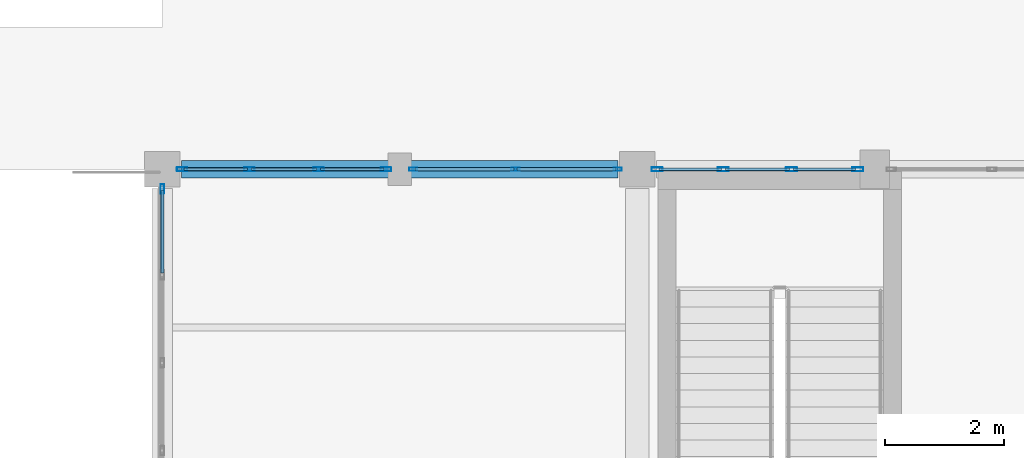
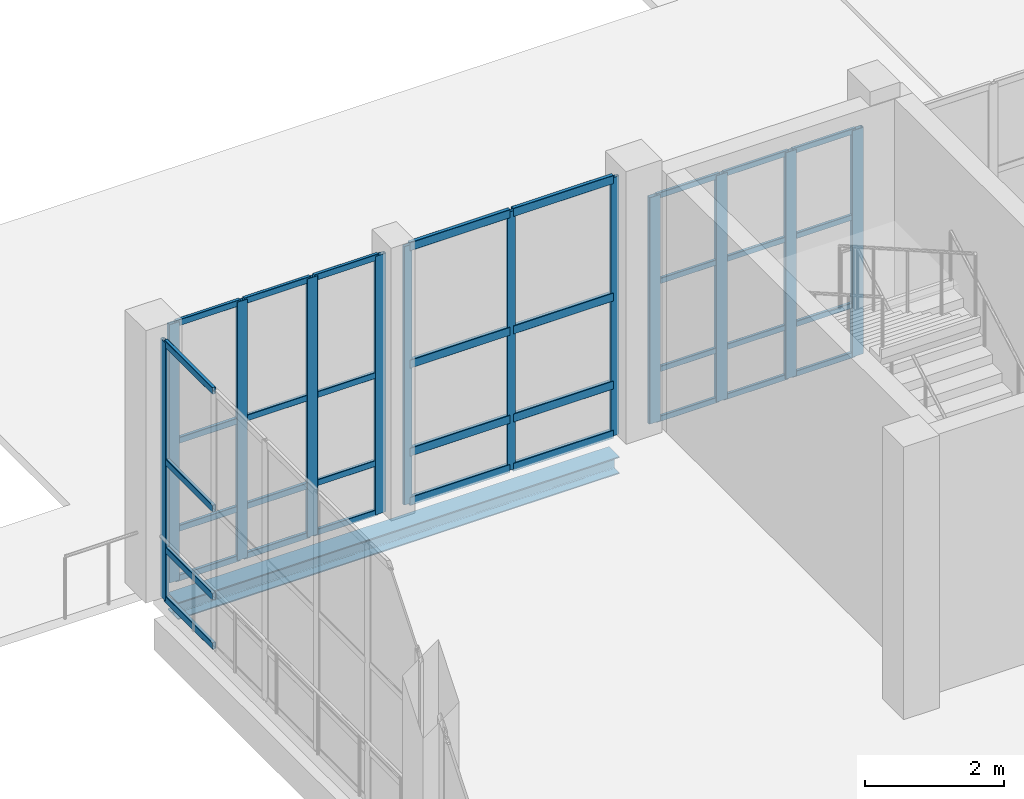
# One storey, part 47 of 156: 48 members, 1 beam, 4 elements without a shape of their own.
"""IFC4 building model written with IfcOpenShell, lengths in metres."""

from ifc_helpers import new_model, si_unit, direction, frame, origin, origin_2d, place, context, subcontext, project, spatial, hollow_rectangle, i_section, extrude, material, material_profile, profile_set, type_object, element, aggregate, save


model = new_model("IFC4")

# Units and contexts
model_context = context("Model", 3, precision=1e-05, world=origin(), true_north=direction((0.0, 1.0)))
body_context = subcontext(model_context, "Body", "Model", "MODEL_VIEW")
ifc_project = project(units=[si_unit("LENGTHUNIT", "METRE"), si_unit("AREAUNIT", "SQUARE_METRE"), si_unit("VOLUMEUNIT", "CUBIC_METRE"), si_unit("PLANEANGLEUNIT", "RADIAN"), si_unit("MASSUNIT", "GRAM", prefix="KILO")], contexts=[model_context])

# Site, building, storey
site_placement = place(None, origin())
site = spatial("IfcSite", under=ifc_project, at=site_placement, CompositionType="ELEMENT")
building_placement = place(site_placement, origin())
building = spatial("IfcBuilding", under=site, at=building_placement, Name="Luwemba Playhouse", CompositionType="ELEMENT")
storey_placement = place(building_placement, origin())
storey = spatial("IfcBuildingStorey", under=building, at=storey_placement, Name="L00", CompositionType="ELEMENT", Elevation=0.0)

# Beam
ifc_material_1 = material(Name="Steel S355", Category="steel")
ifc_material_profile_1 = material_profile(ifc_material_1, i_section(OverallWidth=0.300048828125, OverallDepth=0.300048828125, WebThickness=0.010986328125, FlangeThickness=0.01904296875, FilletRadius=0.027099609375, at=origin_2d()))
ifc_profile_set_1 = profile_set([ifc_material_profile_1], Name="Steel S355")
beam_type = type_object("IfcBeamType", Name="BM-SSP1", PredefinedType="SPANDREL", material=ifc_profile_set_1)
beam_placement = place(storey_placement, frame((116.324951171875, 27.0, -0.449951171875), z_axis=(1.0, 0.0, 0.0), x_axis=(0.0, 1.0, 0.0)))
element("IfcBeam", 1, at=beam_placement, inside=storey, type_object=beam_type, Name="L00 grid girder 0223", PredefinedType="SPANDREL", context=body_context, shape_type="SweptSolid", body=[
    extrude(i_section(OverallWidth=0.300048828125, OverallDepth=0.300048828125, WebThickness=0.010986328125, FlangeThickness=0.01904296875, FilletRadius=0.027099609375, at=origin_2d()), origin(), (0.0, 0.0, 1.0), 7.35009765625),
])

# Curtain wall, member
ifc_material_2 = material(Name="Solar-control double glazing", Category="glass")
curtain_wall_type_1 = type_object("IfcCurtainWallType", Name="CW-CW46", PredefinedType="USERDEFINED", material=ifc_material_2)
curtain_wall_1_placement = place(storey_placement, origin())
curtain_wall_1 = element("IfcCurtainWall", 2, at=curtain_wall_1_placement, inside=storey, type_object=curtain_wall_type_1, Name="L00 V5E unitised curtain wall 055", ObjectType="UNITISED GLAZING", PredefinedType="USERDEFINED")
ifc_material_3 = material(Name="Aluminium 6063-T6", Category="aluminium")
ifc_material_profile_2 = material_profile(ifc_material_3, hollow_rectangle(XDim=0.06005859375, YDim=0.159912109375, WallThickness=0.00390625, InnerFilletRadius=0.006103515625, OuterFilletRadius=0.010009765625, at=origin_2d()))
ifc_profile_set_2 = profile_set([ifc_material_profile_2], Name="Aluminium 6063-T6")
member_type_1 = type_object("IfcMemberType", Name="CWM-M1", PredefinedType="MULLION", material=ifc_profile_set_2)
member_1_placement = place(storey_placement, frame((116.0, 26.669921875, 0.0), z_axis=(0.0, 0.0, 1.0), x_axis=(-1.0, 0.0, 0.0)))
member_1 = element("IfcMember", 3, at=member_1_placement, type_object=member_type_1, Name="CW46 mullion 6", PredefinedType="MULLION", context=body_context, shape_type="SweptSolid", body=[
    extrude(hollow_rectangle(XDim=0.06005859375, YDim=0.159912109375, WallThickness=0.00390625, InnerFilletRadius=0.006103515625, OuterFilletRadius=0.010009765625, at=origin_2d()), origin(), (0.0, 0.0, 1.0), 4.550048828125),
])

# Curtain wall, members
curtain_wall_type_2 = type_object("IfcCurtainWallType", Name="CW-CW47", PredefinedType="USERDEFINED", material=ifc_material_2)
curtain_wall_2_placement = place(storey_placement, origin())
curtain_wall_2 = element("IfcCurtainWall", 4, at=curtain_wall_2_placement, inside=storey, type_object=curtain_wall_type_2, Name="L00 V5E unitised curtain wall 056", ObjectType="UNITISED GLAZING", PredefinedType="USERDEFINED")
ifc_material_profile_3 = material_profile(ifc_material_3, hollow_rectangle(XDim=0.06494140625, YDim=0.179931640625, WallThickness=0.00439453125, InnerFilletRadius=0.0068359375, OuterFilletRadius=0.01123046875, at=origin_2d()))
ifc_profile_set_3 = profile_set([ifc_material_profile_3], Name="Aluminium 6063-T6")
member_type_2 = type_object("IfcMemberType", Name="CWM-M2", PredefinedType="MULLION", material=ifc_profile_set_3)
member_2_placement = place(storey_placement, frame((116.33251953125, 27.0, 0.0), z_axis=(0.0, 0.0, 1.0), x_axis=(0.0, 1.0, 0.0)))
member_2 = element("IfcMember", 5, at=member_2_placement, type_object=member_type_2, Name="CW47 mullion 1", PredefinedType="MULLION", context=body_context, shape_type="SweptSolid", body=[
    extrude(hollow_rectangle(XDim=0.06494140625, YDim=0.179931640625, WallThickness=0.00439453125, InnerFilletRadius=0.0068359375, OuterFilletRadius=0.01123046875, at=origin_2d()), origin(), (0.0, 0.0, 1.0), 4.550048828125),
])
member_3_placement = place(storey_placement, frame((117.466552734375, 27.0, 0.0), z_axis=(0.0, 0.0, 1.0), x_axis=(0.0, 1.0, 0.0)))
member_3 = element("IfcMember", 6, at=member_3_placement, type_object=member_type_2, Name="CW47 mullion 2", PredefinedType="MULLION", context=body_context, shape_type="SweptSolid", body=[
    extrude(hollow_rectangle(XDim=0.06494140625, YDim=0.179931640625, WallThickness=0.00439453125, InnerFilletRadius=0.0068359375, OuterFilletRadius=0.01123046875, at=origin_2d()), origin(), (0.0, 0.0, 1.0), 4.550048828125),
])
member_4_placement = place(storey_placement, frame((118.63330078125, 27.0, 0.0), z_axis=(0.0, 0.0, 1.0), x_axis=(0.0, 1.0, 0.0)))
member_4 = element("IfcMember", 7, at=member_4_placement, type_object=member_type_2, Name="CW47 mullion 3", PredefinedType="MULLION", context=body_context, shape_type="SweptSolid", body=[
    extrude(hollow_rectangle(XDim=0.06494140625, YDim=0.179931640625, WallThickness=0.00439453125, InnerFilletRadius=0.0068359375, OuterFilletRadius=0.01123046875, at=origin_2d()), origin(), (0.0, 0.0, 1.0), 4.550048828125),
])
member_5_placement = place(storey_placement, frame((119.767578125, 27.0, 0.0), z_axis=(0.0, 0.0, 1.0), x_axis=(0.0, 1.0, 0.0)))
member_5 = element("IfcMember", 8, at=member_5_placement, type_object=member_type_2, Name="CW47 mullion 4", PredefinedType="MULLION", context=body_context, shape_type="SweptSolid", body=[
    extrude(hollow_rectangle(XDim=0.06494140625, YDim=0.179931640625, WallThickness=0.00439453125, InnerFilletRadius=0.0068359375, OuterFilletRadius=0.01123046875, at=origin_2d()), origin(), (0.0, 0.0, 1.0), 4.550048828125),
])

curtain_wall_type_3 = type_object("IfcCurtainWallType", Name="CW-CW48", PredefinedType="USERDEFINED", material=ifc_material_2)
curtain_wall_3_placement = place(storey_placement, origin())
curtain_wall_3 = element("IfcCurtainWall", 9, at=curtain_wall_3_placement, inside=storey, type_object=curtain_wall_type_3, Name="L00 V5E unitised curtain wall 057", ObjectType="UNITISED GLAZING", PredefinedType="USERDEFINED")
ifc_material_profile_4 = material_profile(ifc_material_3, hollow_rectangle(XDim=0.054931640625, YDim=0.139892578125, WallThickness=0.00390625, InnerFilletRadius=0.006103515625, OuterFilletRadius=0.010009765625, at=origin_2d()))
ifc_profile_set_4 = profile_set([ifc_material_profile_4], Name="Aluminium 6063-T6")
member_type_3 = type_object("IfcMemberType", Name="CWM-M3", PredefinedType="MULLION", material=ifc_profile_set_4)
member_6_placement = place(storey_placement, frame((120.2275390625, 27.0, 0.0), z_axis=(0.0, 0.0, 1.0), x_axis=(0.0, 1.0, 0.0)))
member_6 = element("IfcMember", 10, at=member_6_placement, type_object=member_type_3, Name="CW48 mullion 1", PredefinedType="MULLION", context=body_context, shape_type="SweptSolid", body=[
    extrude(hollow_rectangle(XDim=0.054931640625, YDim=0.139892578125, WallThickness=0.00390625, InnerFilletRadius=0.006103515625, OuterFilletRadius=0.010009765625, at=origin_2d()), origin(), (0.0, 0.0, 1.0), 4.550048828125),
])
member_7_placement = place(storey_placement, frame((121.949951171875, 27.0, 0.0), z_axis=(0.0, 0.0, 1.0), x_axis=(0.0, 1.0, 0.0)))
member_7 = element("IfcMember", 11, at=member_7_placement, type_object=member_type_3, Name="CW48 mullion 2", PredefinedType="MULLION", context=body_context, shape_type="SweptSolid", body=[
    extrude(hollow_rectangle(XDim=0.054931640625, YDim=0.139892578125, WallThickness=0.00390625, InnerFilletRadius=0.006103515625, OuterFilletRadius=0.010009765625, at=origin_2d()), origin(), (0.0, 0.0, 1.0), 4.550048828125),
])
member_8_placement = place(storey_placement, frame((123.672607421875, 27.0, 0.0), z_axis=(0.0, 0.0, 1.0), x_axis=(0.0, 1.0, 0.0)))
member_8 = element("IfcMember", 12, at=member_8_placement, type_object=member_type_3, Name="CW48 mullion 3", PredefinedType="MULLION", context=body_context, shape_type="SweptSolid", body=[
    extrude(hollow_rectangle(XDim=0.054931640625, YDim=0.139892578125, WallThickness=0.00390625, InnerFilletRadius=0.006103515625, OuterFilletRadius=0.010009765625, at=origin_2d()), origin(), (0.0, 0.0, 1.0), 4.550048828125),
])

curtain_wall_type_4 = type_object("IfcCurtainWallType", Name="CW-CW49", PredefinedType="USERDEFINED", material=ifc_material_2)
curtain_wall_4_placement = place(storey_placement, origin())
curtain_wall_4 = element("IfcCurtainWall", 13, at=curtain_wall_4_placement, inside=storey, type_object=curtain_wall_type_4, Name="L00 V5E unitised curtain wall 058", ObjectType="UNITISED GLAZING", PredefinedType="USERDEFINED")
ifc_material_profile_5 = material_profile(ifc_material_3, hollow_rectangle(XDim=0.070068359375, YDim=0.18994140625, WallThickness=0.0048828125, InnerFilletRadius=0.007568359375, OuterFilletRadius=0.012451171875, at=origin_2d()))
ifc_profile_set_5 = profile_set([ifc_material_profile_5], Name="Aluminium 6063-T6")
member_type_4 = type_object("IfcMemberType", Name="CWM-M4", PredefinedType="MULLION", material=ifc_profile_set_5)
member_9_placement = place(storey_placement, frame((124.3349609375, 27.0, 0.0), z_axis=(0.0, 0.0, 1.0), x_axis=(0.0, 1.0, 0.0)))
member_9 = element("IfcMember", 14, at=member_9_placement, type_object=member_type_4, Name="CW49 mullion 1", PredefinedType="MULLION", context=body_context, shape_type="SweptSolid", body=[
    extrude(hollow_rectangle(XDim=0.070068359375, YDim=0.18994140625, WallThickness=0.0048828125, InnerFilletRadius=0.007568359375, OuterFilletRadius=0.012451171875, at=origin_2d()), origin(), (0.0, 0.0, 1.0), 3.985107421875),
])
member_10_placement = place(storey_placement, frame((125.449951171875, 27.0, 0.0), z_axis=(0.0, 0.0, 1.0), x_axis=(0.0, 1.0, 0.0)))
member_10 = element("IfcMember", 15, at=member_10_placement, type_object=member_type_4, Name="CW49 mullion 2", PredefinedType="MULLION", context=body_context, shape_type="SweptSolid", body=[
    extrude(hollow_rectangle(XDim=0.070068359375, YDim=0.18994140625, WallThickness=0.0048828125, InnerFilletRadius=0.007568359375, OuterFilletRadius=0.012451171875, at=origin_2d()), origin(), (0.0, 0.0, 1.0), 3.985107421875),
])
member_11_placement = place(storey_placement, frame((126.60009765625, 27.0, 0.0), z_axis=(0.0, 0.0, 1.0), x_axis=(0.0, 1.0, 0.0)))
member_11 = element("IfcMember", 16, at=member_11_placement, type_object=member_type_4, Name="CW49 mullion 3", PredefinedType="MULLION", context=body_context, shape_type="SweptSolid", body=[
    extrude(hollow_rectangle(XDim=0.070068359375, YDim=0.18994140625, WallThickness=0.0048828125, InnerFilletRadius=0.007568359375, OuterFilletRadius=0.012451171875, at=origin_2d()), origin(), (0.0, 0.0, 1.0), 3.985107421875),
])
member_12_placement = place(storey_placement, frame((127.715087890625, 27.0, 0.0), z_axis=(0.0, 0.0, 1.0), x_axis=(0.0, 1.0, 0.0)))
member_12 = element("IfcMember", 17, at=member_12_placement, type_object=member_type_4, Name="CW49 mullion 4", PredefinedType="MULLION", context=body_context, shape_type="SweptSolid", body=[
    extrude(hollow_rectangle(XDim=0.070068359375, YDim=0.18994140625, WallThickness=0.0048828125, InnerFilletRadius=0.007568359375, OuterFilletRadius=0.012451171875, at=origin_2d()), origin(), (0.0, 0.0, 1.0), 3.985107421875),
])

# Member
ifc_material_profile_6 = material_profile(ifc_material_3, hollow_rectangle(XDim=0.06005859375, YDim=0.1201171875, WallThickness=0.00390625, InnerFilletRadius=0.006103515625, OuterFilletRadius=0.010009765625, at=origin_2d()))
ifc_profile_set_6 = profile_set([ifc_material_profile_6], Name="Aluminium 6063-T6")
member_type_5 = type_object("IfcMemberType", Name="CWT-T1", PredefinedType="USERDEFINED", material=ifc_profile_set_6)
member_13_placement = place(storey_placement, frame((116.0, 25.25, 0.030029296875), z_axis=(0.0, 1.0, 0.0), x_axis=(-1.0, 0.0, 0.0)))
member_13 = element("IfcMember", 18, at=member_13_placement, type_object=member_type_5, Name="CW46 transom 5.1", ObjectType="TRANSOM", PredefinedType="USERDEFINED", context=body_context, shape_type="SweptSolid", body=[
    extrude(hollow_rectangle(XDim=0.06005859375, YDim=0.1201171875, WallThickness=0.00390625, InnerFilletRadius=0.006103515625, OuterFilletRadius=0.010009765625, at=origin_2d()), origin(), (0.0, 0.0, 1.0), 1.389892578125),
])

member_14_placement = place(storey_placement, frame((116.0, 25.25, 0.89990234375), z_axis=(0.0, 1.0, 0.0), x_axis=(-1.0, 0.0, 0.0)))
member_14 = element("IfcMember", 19, at=member_14_placement, type_object=member_type_5, Name="CW46 transom 5.2", ObjectType="TRANSOM", PredefinedType="USERDEFINED", context=body_context, shape_type="SweptSolid", body=[
    extrude(hollow_rectangle(XDim=0.06005859375, YDim=0.1201171875, WallThickness=0.00390625, InnerFilletRadius=0.006103515625, OuterFilletRadius=0.010009765625, at=origin_2d()), origin(), (0.0, 0.0, 1.0), 1.389892578125),
])

member_15_placement = place(storey_placement, frame((116.0, 25.25, 2.449951171875), z_axis=(0.0, 1.0, 0.0), x_axis=(-1.0, 0.0, 0.0)))
member_15 = element("IfcMember", 20, at=member_15_placement, type_object=member_type_5, Name="CW46 transom 5.3", ObjectType="TRANSOM", PredefinedType="USERDEFINED", context=body_context, shape_type="SweptSolid", body=[
    extrude(hollow_rectangle(XDim=0.06005859375, YDim=0.1201171875, WallThickness=0.00390625, InnerFilletRadius=0.006103515625, OuterFilletRadius=0.010009765625, at=origin_2d()), origin(), (0.0, 0.0, 1.0), 1.389892578125),
])

member_16_placement = place(storey_placement, frame((116.0, 25.25, 4.52001953125), z_axis=(0.0, 1.0, 0.0), x_axis=(-1.0, 0.0, 0.0)))
member_16 = element("IfcMember", 21, at=member_16_placement, type_object=member_type_5, Name="CW46 transom 5.4", ObjectType="TRANSOM", PredefinedType="USERDEFINED", context=body_context, shape_type="SweptSolid", body=[
    extrude(hollow_rectangle(XDim=0.06005859375, YDim=0.1201171875, WallThickness=0.00390625, InnerFilletRadius=0.006103515625, OuterFilletRadius=0.010009765625, at=origin_2d()), origin(), (0.0, 0.0, 1.0), 1.389892578125),
])

aggregate(curtain_wall_1, [member_1, member_13, member_14, member_15, member_16])

ifc_material_profile_7 = material_profile(ifc_material_3, hollow_rectangle(XDim=0.054931640625, YDim=0.110107421875, WallThickness=0.00341796875, InnerFilletRadius=0.00537109375, OuterFilletRadius=0.0087890625, at=origin_2d()))
ifc_profile_set_7 = profile_set([ifc_material_profile_7], Name="Aluminium 6063-T6")
member_type_6 = type_object("IfcMemberType", Name="CWT-T2", PredefinedType="USERDEFINED", material=ifc_profile_set_7)
member_17_placement = place(storey_placement, frame((116.364990234375, 27.0, 0.027587890625), z_axis=(1.0, 0.0, 0.0), x_axis=(0.0, 1.0, 0.0)))
member_17 = element("IfcMember", 22, at=member_17_placement, type_object=member_type_6, Name="CW47 transom 1.1", ObjectType="TRANSOM", PredefinedType="USERDEFINED", context=body_context, shape_type="SweptSolid", body=[
    extrude(hollow_rectangle(XDim=0.054931640625, YDim=0.110107421875, WallThickness=0.00341796875, InnerFilletRadius=0.00537109375, OuterFilletRadius=0.0087890625, at=origin_2d()), origin(), (0.0, 0.0, 1.0), 1.069091796875),
])

member_18_placement = place(storey_placement, frame((116.364990234375, 27.0, 0.89990234375), z_axis=(1.0, 0.0, 0.0), x_axis=(0.0, 1.0, 0.0)))
member_18 = element("IfcMember", 23, at=member_18_placement, type_object=member_type_6, Name="CW47 transom 1.2", ObjectType="TRANSOM", PredefinedType="USERDEFINED", context=body_context, shape_type="SweptSolid", body=[
    extrude(hollow_rectangle(XDim=0.054931640625, YDim=0.110107421875, WallThickness=0.00341796875, InnerFilletRadius=0.00537109375, OuterFilletRadius=0.0087890625, at=origin_2d()), origin(), (0.0, 0.0, 1.0), 1.069091796875),
])

member_19_placement = place(storey_placement, frame((116.364990234375, 27.0, 2.449951171875), z_axis=(1.0, 0.0, 0.0), x_axis=(0.0, 1.0, 0.0)))
member_19 = element("IfcMember", 24, at=member_19_placement, type_object=member_type_6, Name="CW47 transom 1.3", ObjectType="TRANSOM", PredefinedType="USERDEFINED", context=body_context, shape_type="SweptSolid", body=[
    extrude(hollow_rectangle(XDim=0.054931640625, YDim=0.110107421875, WallThickness=0.00341796875, InnerFilletRadius=0.00537109375, OuterFilletRadius=0.0087890625, at=origin_2d()), origin(), (0.0, 0.0, 1.0), 1.069091796875),
])

member_20_placement = place(storey_placement, frame((116.364990234375, 27.0, 4.5224609375), z_axis=(1.0, 0.0, 0.0), x_axis=(0.0, 1.0, 0.0)))
member_20 = element("IfcMember", 25, at=member_20_placement, type_object=member_type_6, Name="CW47 transom 1.4", ObjectType="TRANSOM", PredefinedType="USERDEFINED", context=body_context, shape_type="SweptSolid", body=[
    extrude(hollow_rectangle(XDim=0.054931640625, YDim=0.110107421875, WallThickness=0.00341796875, InnerFilletRadius=0.00537109375, OuterFilletRadius=0.0087890625, at=origin_2d()), origin(), (0.0, 0.0, 1.0), 1.069091796875),
])

member_21_placement = place(storey_placement, frame((117.499267578125, 27.0, 0.027587890625), z_axis=(1.0, 0.0, 0.0), x_axis=(0.0, 1.0, 0.0)))
member_21 = element("IfcMember", 26, at=member_21_placement, type_object=member_type_6, Name="CW47 transom 2.1", ObjectType="TRANSOM", PredefinedType="USERDEFINED", context=body_context, shape_type="SweptSolid", body=[
    extrude(hollow_rectangle(XDim=0.054931640625, YDim=0.110107421875, WallThickness=0.00341796875, InnerFilletRadius=0.00537109375, OuterFilletRadius=0.0087890625, at=origin_2d()), origin(), (0.0, 0.0, 1.0), 1.1015625),
])

member_22_placement = place(storey_placement, frame((117.499267578125, 27.0, 0.89990234375), z_axis=(1.0, 0.0, 0.0), x_axis=(0.0, 1.0, 0.0)))
member_22 = element("IfcMember", 27, at=member_22_placement, type_object=member_type_6, Name="CW47 transom 2.2", ObjectType="TRANSOM", PredefinedType="USERDEFINED", context=body_context, shape_type="SweptSolid", body=[
    extrude(hollow_rectangle(XDim=0.054931640625, YDim=0.110107421875, WallThickness=0.00341796875, InnerFilletRadius=0.00537109375, OuterFilletRadius=0.0087890625, at=origin_2d()), origin(), (0.0, 0.0, 1.0), 1.1015625),
])

member_23_placement = place(storey_placement, frame((117.499267578125, 27.0, 2.449951171875), z_axis=(1.0, 0.0, 0.0), x_axis=(0.0, 1.0, 0.0)))
member_23 = element("IfcMember", 28, at=member_23_placement, type_object=member_type_6, Name="CW47 transom 2.3", ObjectType="TRANSOM", PredefinedType="USERDEFINED", context=body_context, shape_type="SweptSolid", body=[
    extrude(hollow_rectangle(XDim=0.054931640625, YDim=0.110107421875, WallThickness=0.00341796875, InnerFilletRadius=0.00537109375, OuterFilletRadius=0.0087890625, at=origin_2d()), origin(), (0.0, 0.0, 1.0), 1.1015625),
])

member_24_placement = place(storey_placement, frame((117.499267578125, 27.0, 4.5224609375), z_axis=(1.0, 0.0, 0.0), x_axis=(0.0, 1.0, 0.0)))
member_24 = element("IfcMember", 29, at=member_24_placement, type_object=member_type_6, Name="CW47 transom 2.4", ObjectType="TRANSOM", PredefinedType="USERDEFINED", context=body_context, shape_type="SweptSolid", body=[
    extrude(hollow_rectangle(XDim=0.054931640625, YDim=0.110107421875, WallThickness=0.00341796875, InnerFilletRadius=0.00537109375, OuterFilletRadius=0.0087890625, at=origin_2d()), origin(), (0.0, 0.0, 1.0), 1.1015625),
])

member_25_placement = place(storey_placement, frame((118.665771484375, 27.0, 0.027587890625), z_axis=(1.0, 0.0, 0.0), x_axis=(0.0, 1.0, 0.0)))
member_25 = element("IfcMember", 30, at=member_25_placement, type_object=member_type_6, Name="CW47 transom 3.1", ObjectType="TRANSOM", PredefinedType="USERDEFINED", context=body_context, shape_type="SweptSolid", body=[
    extrude(hollow_rectangle(XDim=0.054931640625, YDim=0.110107421875, WallThickness=0.00341796875, InnerFilletRadius=0.00537109375, OuterFilletRadius=0.0087890625, at=origin_2d()), origin(), (0.0, 0.0, 1.0), 1.0693359375),
])

member_26_placement = place(storey_placement, frame((118.665771484375, 27.0, 0.89990234375), z_axis=(1.0, 0.0, 0.0), x_axis=(0.0, 1.0, 0.0)))
member_26 = element("IfcMember", 31, at=member_26_placement, type_object=member_type_6, Name="CW47 transom 3.2", ObjectType="TRANSOM", PredefinedType="USERDEFINED", context=body_context, shape_type="SweptSolid", body=[
    extrude(hollow_rectangle(XDim=0.054931640625, YDim=0.110107421875, WallThickness=0.00341796875, InnerFilletRadius=0.00537109375, OuterFilletRadius=0.0087890625, at=origin_2d()), origin(), (0.0, 0.0, 1.0), 1.0693359375),
])

member_27_placement = place(storey_placement, frame((118.665771484375, 27.0, 2.449951171875), z_axis=(1.0, 0.0, 0.0), x_axis=(0.0, 1.0, 0.0)))
member_27 = element("IfcMember", 32, at=member_27_placement, type_object=member_type_6, Name="CW47 transom 3.3", ObjectType="TRANSOM", PredefinedType="USERDEFINED", context=body_context, shape_type="SweptSolid", body=[
    extrude(hollow_rectangle(XDim=0.054931640625, YDim=0.110107421875, WallThickness=0.00341796875, InnerFilletRadius=0.00537109375, OuterFilletRadius=0.0087890625, at=origin_2d()), origin(), (0.0, 0.0, 1.0), 1.0693359375),
])

member_28_placement = place(storey_placement, frame((118.665771484375, 27.0, 4.5224609375), z_axis=(1.0, 0.0, 0.0), x_axis=(0.0, 1.0, 0.0)))
member_28 = element("IfcMember", 33, at=member_28_placement, type_object=member_type_6, Name="CW47 transom 3.4", ObjectType="TRANSOM", PredefinedType="USERDEFINED", context=body_context, shape_type="SweptSolid", body=[
    extrude(hollow_rectangle(XDim=0.054931640625, YDim=0.110107421875, WallThickness=0.00341796875, InnerFilletRadius=0.00537109375, OuterFilletRadius=0.0087890625, at=origin_2d()), origin(), (0.0, 0.0, 1.0), 1.0693359375),
])

aggregate(curtain_wall_2, [member_2, member_3, member_4, member_5, member_17, member_18, member_19, member_20, member_21, member_22, member_23, member_24, member_25, member_26, member_27, member_28])

ifc_material_profile_8 = material_profile(ifc_material_3, hollow_rectangle(XDim=0.06494140625, YDim=0.14990234375, WallThickness=0.00390625, InnerFilletRadius=0.006103515625, OuterFilletRadius=0.010009765625, at=origin_2d()))
ifc_profile_set_8 = profile_set([ifc_material_profile_8], Name="Aluminium 6063-T6")
member_type_7 = type_object("IfcMemberType", Name="CWT-T3", PredefinedType="USERDEFINED", material=ifc_profile_set_8)
member_29_placement = place(storey_placement, frame((120.2548828125, 27.0, 0.032470703125), z_axis=(1.0, 0.0, 0.0), x_axis=(0.0, 1.0, 0.0)))
member_29 = element("IfcMember", 34, at=member_29_placement, type_object=member_type_7, Name="CW48 transom 1.1", ObjectType="TRANSOM", PredefinedType="USERDEFINED", context=body_context, shape_type="SweptSolid", body=[
    extrude(hollow_rectangle(XDim=0.06494140625, YDim=0.14990234375, WallThickness=0.00390625, InnerFilletRadius=0.006103515625, OuterFilletRadius=0.010009765625, at=origin_2d()), origin(), (0.0, 0.0, 1.0), 1.667724609375),
])

member_30_placement = place(storey_placement, frame((120.2548828125, 27.0, 0.89990234375), z_axis=(1.0, 0.0, 0.0), x_axis=(0.0, 1.0, 0.0)))
member_30 = element("IfcMember", 35, at=member_30_placement, type_object=member_type_7, Name="CW48 transom 1.2", ObjectType="TRANSOM", PredefinedType="USERDEFINED", context=body_context, shape_type="SweptSolid", body=[
    extrude(hollow_rectangle(XDim=0.06494140625, YDim=0.14990234375, WallThickness=0.00390625, InnerFilletRadius=0.006103515625, OuterFilletRadius=0.010009765625, at=origin_2d()), origin(), (0.0, 0.0, 1.0), 1.667724609375),
])

member_31_placement = place(storey_placement, frame((120.2548828125, 27.0, 2.449951171875), z_axis=(1.0, 0.0, 0.0), x_axis=(0.0, 1.0, 0.0)))
member_31 = element("IfcMember", 36, at=member_31_placement, type_object=member_type_7, Name="CW48 transom 1.3", ObjectType="TRANSOM", PredefinedType="USERDEFINED", context=body_context, shape_type="SweptSolid", body=[
    extrude(hollow_rectangle(XDim=0.06494140625, YDim=0.14990234375, WallThickness=0.00390625, InnerFilletRadius=0.006103515625, OuterFilletRadius=0.010009765625, at=origin_2d()), origin(), (0.0, 0.0, 1.0), 1.667724609375),
])

member_32_placement = place(storey_placement, frame((120.2548828125, 27.0, 4.517578125), z_axis=(1.0, 0.0, 0.0), x_axis=(0.0, 1.0, 0.0)))
member_32 = element("IfcMember", 37, at=member_32_placement, type_object=member_type_7, Name="CW48 transom 1.4", ObjectType="TRANSOM", PredefinedType="USERDEFINED", context=body_context, shape_type="SweptSolid", body=[
    extrude(hollow_rectangle(XDim=0.06494140625, YDim=0.14990234375, WallThickness=0.00390625, InnerFilletRadius=0.006103515625, OuterFilletRadius=0.010009765625, at=origin_2d()), origin(), (0.0, 0.0, 1.0), 1.667724609375),
])

member_33_placement = place(storey_placement, frame((121.9775390625, 27.0, 0.032470703125), z_axis=(1.0, 0.0, 0.0), x_axis=(0.0, 1.0, 0.0)))
member_33 = element("IfcMember", 38, at=member_33_placement, type_object=member_type_7, Name="CW48 transom 2.1", ObjectType="TRANSOM", PredefinedType="USERDEFINED", context=body_context, shape_type="SweptSolid", body=[
    extrude(hollow_rectangle(XDim=0.06494140625, YDim=0.14990234375, WallThickness=0.00390625, InnerFilletRadius=0.006103515625, OuterFilletRadius=0.010009765625, at=origin_2d()), origin(), (0.0, 0.0, 1.0), 1.66748046875),
])

member_34_placement = place(storey_placement, frame((121.9775390625, 27.0, 0.89990234375), z_axis=(1.0, 0.0, 0.0), x_axis=(0.0, 1.0, 0.0)))
member_34 = element("IfcMember", 39, at=member_34_placement, type_object=member_type_7, Name="CW48 transom 2.2", ObjectType="TRANSOM", PredefinedType="USERDEFINED", context=body_context, shape_type="SweptSolid", body=[
    extrude(hollow_rectangle(XDim=0.06494140625, YDim=0.14990234375, WallThickness=0.00390625, InnerFilletRadius=0.006103515625, OuterFilletRadius=0.010009765625, at=origin_2d()), origin(), (0.0, 0.0, 1.0), 1.66748046875),
])

member_35_placement = place(storey_placement, frame((121.9775390625, 27.0, 2.449951171875), z_axis=(1.0, 0.0, 0.0), x_axis=(0.0, 1.0, 0.0)))
member_35 = element("IfcMember", 40, at=member_35_placement, type_object=member_type_7, Name="CW48 transom 2.3", ObjectType="TRANSOM", PredefinedType="USERDEFINED", context=body_context, shape_type="SweptSolid", body=[
    extrude(hollow_rectangle(XDim=0.06494140625, YDim=0.14990234375, WallThickness=0.00390625, InnerFilletRadius=0.006103515625, OuterFilletRadius=0.010009765625, at=origin_2d()), origin(), (0.0, 0.0, 1.0), 1.66748046875),
])

member_36_placement = place(storey_placement, frame((121.9775390625, 27.0, 4.517578125), z_axis=(1.0, 0.0, 0.0), x_axis=(0.0, 1.0, 0.0)))
member_36 = element("IfcMember", 41, at=member_36_placement, type_object=member_type_7, Name="CW48 transom 2.4", ObjectType="TRANSOM", PredefinedType="USERDEFINED", context=body_context, shape_type="SweptSolid", body=[
    extrude(hollow_rectangle(XDim=0.06494140625, YDim=0.14990234375, WallThickness=0.00390625, InnerFilletRadius=0.006103515625, OuterFilletRadius=0.010009765625, at=origin_2d()), origin(), (0.0, 0.0, 1.0), 1.66748046875),
])

aggregate(curtain_wall_3, [member_6, member_7, member_8, member_29, member_30, member_31, member_32, member_33, member_34, member_35, member_36])

ifc_material_profile_9 = material_profile(ifc_material_3, hollow_rectangle(XDim=0.050048828125, YDim=0.10009765625, WallThickness=0.00341796875, InnerFilletRadius=0.00537109375, OuterFilletRadius=0.0087890625, at=origin_2d()))
ifc_profile_set_9 = profile_set([ifc_material_profile_9], Name="Aluminium 6063-T6")
member_type_8 = type_object("IfcMemberType", Name="CWT-T4", PredefinedType="USERDEFINED", material=ifc_profile_set_9)
member_37_placement = place(storey_placement, frame((124.3701171875, 27.0, 0.02490234375), z_axis=(1.0, 0.0, 0.0), x_axis=(0.0, 1.0, 0.0)))
member_37 = element("IfcMember", 42, at=member_37_placement, type_object=member_type_8, Name="CW49 transom 1.1", ObjectType="TRANSOM", PredefinedType="USERDEFINED", context=body_context, shape_type="SweptSolid", body=[
    extrude(hollow_rectangle(XDim=0.050048828125, YDim=0.10009765625, WallThickness=0.00341796875, InnerFilletRadius=0.00537109375, OuterFilletRadius=0.0087890625, at=origin_2d()), origin(), (0.0, 0.0, 1.0), 1.044921875),
])

member_38_placement = place(storey_placement, frame((124.3701171875, 27.0, 0.89990234375), z_axis=(1.0, 0.0, 0.0), x_axis=(0.0, 1.0, 0.0)))
member_38 = element("IfcMember", 43, at=member_38_placement, type_object=member_type_8, Name="CW49 transom 1.2", ObjectType="TRANSOM", PredefinedType="USERDEFINED", context=body_context, shape_type="SweptSolid", body=[
    extrude(hollow_rectangle(XDim=0.050048828125, YDim=0.10009765625, WallThickness=0.00341796875, InnerFilletRadius=0.00537109375, OuterFilletRadius=0.0087890625, at=origin_2d()), origin(), (0.0, 0.0, 1.0), 1.044921875),
])

member_39_placement = place(storey_placement, frame((124.3701171875, 27.0, 2.449951171875), z_axis=(1.0, 0.0, 0.0), x_axis=(0.0, 1.0, 0.0)))
member_39 = element("IfcMember", 44, at=member_39_placement, type_object=member_type_8, Name="CW49 transom 1.3", ObjectType="TRANSOM", PredefinedType="USERDEFINED", context=body_context, shape_type="SweptSolid", body=[
    extrude(hollow_rectangle(XDim=0.050048828125, YDim=0.10009765625, WallThickness=0.00341796875, InnerFilletRadius=0.00537109375, OuterFilletRadius=0.0087890625, at=origin_2d()), origin(), (0.0, 0.0, 1.0), 1.044921875),
])

member_40_placement = place(storey_placement, frame((124.3701171875, 27.0, 3.9599609375), z_axis=(1.0, 0.0, 0.0), x_axis=(0.0, 1.0, 0.0)))
member_40 = element("IfcMember", 45, at=member_40_placement, type_object=member_type_8, Name="CW49 transom 1.4", ObjectType="TRANSOM", PredefinedType="USERDEFINED", context=body_context, shape_type="SweptSolid", body=[
    extrude(hollow_rectangle(XDim=0.050048828125, YDim=0.10009765625, WallThickness=0.00341796875, InnerFilletRadius=0.00537109375, OuterFilletRadius=0.0087890625, at=origin_2d()), origin(), (0.0, 0.0, 1.0), 1.044921875),
])

member_41_placement = place(storey_placement, frame((125.485107421875, 27.0, 0.02490234375), z_axis=(1.0, 0.0, 0.0), x_axis=(0.0, 1.0, 0.0)))
member_41 = element("IfcMember", 46, at=member_41_placement, type_object=member_type_8, Name="CW49 transom 2.1", ObjectType="TRANSOM", PredefinedType="USERDEFINED", context=body_context, shape_type="SweptSolid", body=[
    extrude(hollow_rectangle(XDim=0.050048828125, YDim=0.10009765625, WallThickness=0.00341796875, InnerFilletRadius=0.00537109375, OuterFilletRadius=0.0087890625, at=origin_2d()), origin(), (0.0, 0.0, 1.0), 1.079833984375),
])

member_42_placement = place(storey_placement, frame((125.485107421875, 27.0, 0.89990234375), z_axis=(1.0, 0.0, 0.0), x_axis=(0.0, 1.0, 0.0)))
member_42 = element("IfcMember", 47, at=member_42_placement, type_object=member_type_8, Name="CW49 transom 2.2", ObjectType="TRANSOM", PredefinedType="USERDEFINED", context=body_context, shape_type="SweptSolid", body=[
    extrude(hollow_rectangle(XDim=0.050048828125, YDim=0.10009765625, WallThickness=0.00341796875, InnerFilletRadius=0.00537109375, OuterFilletRadius=0.0087890625, at=origin_2d()), origin(), (0.0, 0.0, 1.0), 1.079833984375),
])

member_43_placement = place(storey_placement, frame((125.485107421875, 27.0, 2.449951171875), z_axis=(1.0, 0.0, 0.0), x_axis=(0.0, 1.0, 0.0)))
member_43 = element("IfcMember", 48, at=member_43_placement, type_object=member_type_8, Name="CW49 transom 2.3", ObjectType="TRANSOM", PredefinedType="USERDEFINED", context=body_context, shape_type="SweptSolid", body=[
    extrude(hollow_rectangle(XDim=0.050048828125, YDim=0.10009765625, WallThickness=0.00341796875, InnerFilletRadius=0.00537109375, OuterFilletRadius=0.0087890625, at=origin_2d()), origin(), (0.0, 0.0, 1.0), 1.079833984375),
])

member_44_placement = place(storey_placement, frame((125.485107421875, 27.0, 3.9599609375), z_axis=(1.0, 0.0, 0.0), x_axis=(0.0, 1.0, 0.0)))
member_44 = element("IfcMember", 49, at=member_44_placement, type_object=member_type_8, Name="CW49 transom 2.4", ObjectType="TRANSOM", PredefinedType="USERDEFINED", context=body_context, shape_type="SweptSolid", body=[
    extrude(hollow_rectangle(XDim=0.050048828125, YDim=0.10009765625, WallThickness=0.00341796875, InnerFilletRadius=0.00537109375, OuterFilletRadius=0.0087890625, at=origin_2d()), origin(), (0.0, 0.0, 1.0), 1.079833984375),
])

member_45_placement = place(storey_placement, frame((126.635009765625, 27.0, 0.02490234375), z_axis=(1.0, 0.0, 0.0), x_axis=(0.0, 1.0, 0.0)))
member_45 = element("IfcMember", 50, at=member_45_placement, type_object=member_type_8, Name="CW49 transom 3.1", ObjectType="TRANSOM", PredefinedType="USERDEFINED", context=body_context, shape_type="SweptSolid", body=[
    extrude(hollow_rectangle(XDim=0.050048828125, YDim=0.10009765625, WallThickness=0.00341796875, InnerFilletRadius=0.00537109375, OuterFilletRadius=0.0087890625, at=origin_2d()), origin(), (0.0, 0.0, 1.0), 1.044921875),
])

member_46_placement = place(storey_placement, frame((126.635009765625, 27.0, 0.89990234375), z_axis=(1.0, 0.0, 0.0), x_axis=(0.0, 1.0, 0.0)))
member_46 = element("IfcMember", 51, at=member_46_placement, type_object=member_type_8, Name="CW49 transom 3.2", ObjectType="TRANSOM", PredefinedType="USERDEFINED", context=body_context, shape_type="SweptSolid", body=[
    extrude(hollow_rectangle(XDim=0.050048828125, YDim=0.10009765625, WallThickness=0.00341796875, InnerFilletRadius=0.00537109375, OuterFilletRadius=0.0087890625, at=origin_2d()), origin(), (0.0, 0.0, 1.0), 1.044921875),
])

member_47_placement = place(storey_placement, frame((126.635009765625, 27.0, 2.449951171875), z_axis=(1.0, 0.0, 0.0), x_axis=(0.0, 1.0, 0.0)))
member_47 = element("IfcMember", 52, at=member_47_placement, type_object=member_type_8, Name="CW49 transom 3.3", ObjectType="TRANSOM", PredefinedType="USERDEFINED", context=body_context, shape_type="SweptSolid", body=[
    extrude(hollow_rectangle(XDim=0.050048828125, YDim=0.10009765625, WallThickness=0.00341796875, InnerFilletRadius=0.00537109375, OuterFilletRadius=0.0087890625, at=origin_2d()), origin(), (0.0, 0.0, 1.0), 1.044921875),
])

member_48_placement = place(storey_placement, frame((126.635009765625, 27.0, 3.9599609375), z_axis=(1.0, 0.0, 0.0), x_axis=(0.0, 1.0, 0.0)))
member_48 = element("IfcMember", 53, at=member_48_placement, type_object=member_type_8, Name="CW49 transom 3.4", ObjectType="TRANSOM", PredefinedType="USERDEFINED", context=body_context, shape_type="SweptSolid", body=[
    extrude(hollow_rectangle(XDim=0.050048828125, YDim=0.10009765625, WallThickness=0.00341796875, InnerFilletRadius=0.00537109375, OuterFilletRadius=0.0087890625, at=origin_2d()), origin(), (0.0, 0.0, 1.0), 1.044921875),
])

aggregate(curtain_wall_4, [member_9, member_10, member_11, member_12, member_37, member_38, member_39, member_40, member_41, member_42, member_43, member_44, member_45, member_46, member_47, member_48])

save(model, "model.ifc")
